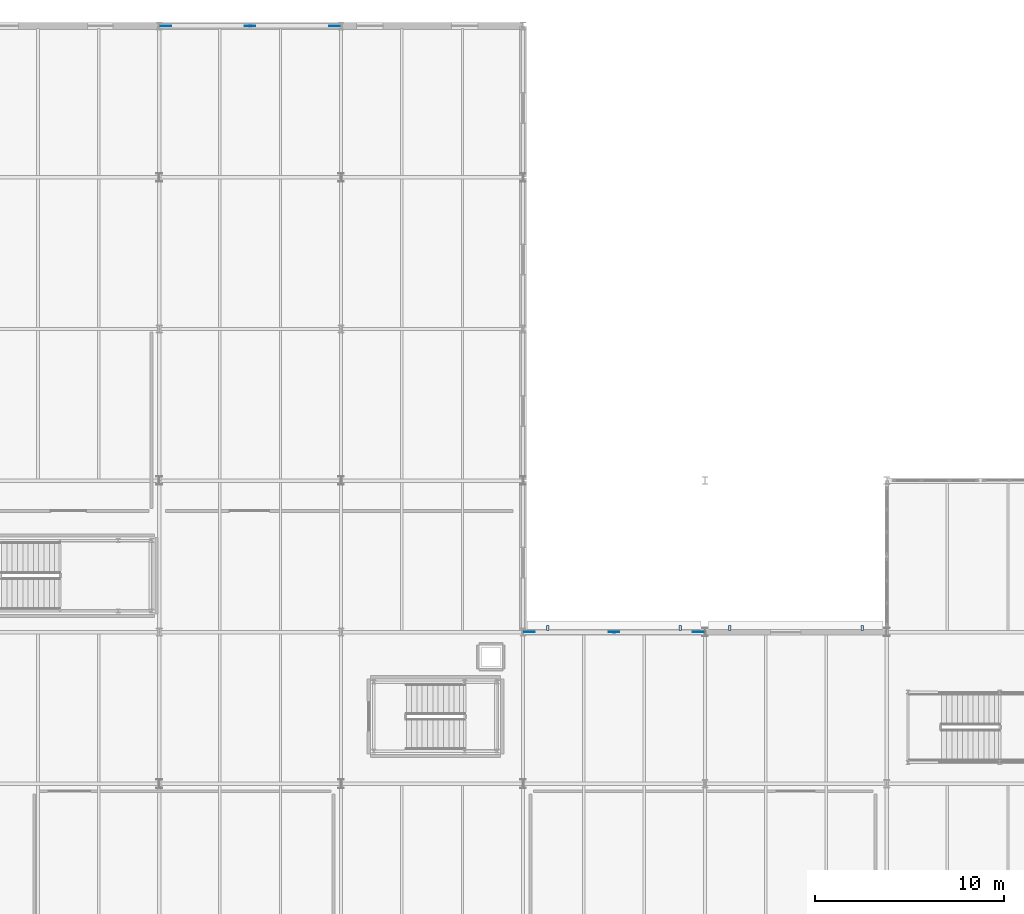
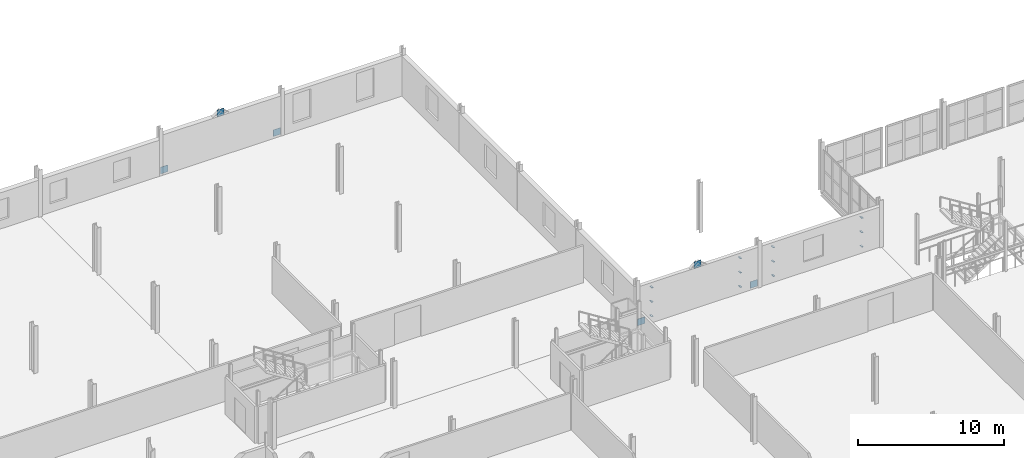
# One storey, part 69 of 85: 18 plates.
"""IFC4 building model written with IfcOpenShell, lengths in metres."""

from ifc_helpers import new_model, si_unit, direction, frame, origin, origin_2d, place, context, subcontext, project, spatial, rectangle, extrude, material, layer, layer_set, type_object, element, save


model = new_model("IFC4")

# Units and contexts
model_context = context("Model", 3, precision=1e-05, world=origin(), true_north=direction((0.0, 1.0)))
body_context = subcontext(model_context, "Body", "Model", "MODEL_VIEW")
ifc_project = project(units=[si_unit("LENGTHUNIT", "METRE"), si_unit("AREAUNIT", "SQUARE_METRE"), si_unit("VOLUMEUNIT", "CUBIC_METRE"), si_unit("PLANEANGLEUNIT", "RADIAN"), si_unit("MASSUNIT", "GRAM", prefix="KILO")], contexts=[model_context])

# Site, building, storey
site_placement = place(None, origin())
site = spatial("IfcSite", under=ifc_project, at=site_placement, CompositionType="ELEMENT")
building_placement = place(site_placement, origin())
building = spatial("IfcBuilding", under=site, at=building_placement, Name="Alderhovde Museum", CompositionType="ELEMENT")
storey_placement = place(building_placement, frame((0.0, 0.0, 8.699951171875)))
storey = spatial("IfcBuildingStorey", under=building, at=storey_placement, Name="L02", CompositionType="ELEMENT", Elevation=8.699951171875)

# Plates
ifc_material_1 = material(Name="Steel S355J2", Category="steel")
ifc_layer_1 = layer(ifc_material_1, 0.02001953125)
ifc_layer_set_1 = layer_set([ifc_layer_1], Name="Steel S355J2")
plate_type_1 = type_object("IfcPlateType", Name="LV-BRACKET", PredefinedType="USERDEFINED", material=ifc_layer_set_1)
for number, where, z_axis, x_axis, name in (
    (1, (58.904052734375, 80.22998046875, 0.2900390625), (0.0, 0.0, 1.0), (1.0, 0.0, 0.0), "L02 Louvre Support Bracket 117-1"),
    (2, (65.89599609375, 80.22998046875, 0.2900390625), (0.0, 0.0, 1.0), (1.0, 0.0, 0.0), "L02 Louvre Support Bracket 117-2"),
    (3, (58.904052734375, 80.22998046875, 1.489990234375), (0.0, 0.0, 1.0), (1.0, 0.0, 0.0), "L02 Louvre Support Bracket 119-1"),
    (4, (65.89599609375, 80.22998046875, 1.489990234375), (0.0, 0.0, 1.0), (1.0, 0.0, 0.0), "L02 Louvre Support Bracket 119-2"),
    (5, (58.904052734375, 80.22998046875, 2.68994140625), (0.0, 0.0, 1.0), (1.0, 0.0, 0.0), "L02 Louvre Support Bracket 121-1"),
    (6, (65.89599609375, 80.22998046875, 2.68994140625), (0.0, 0.0, 1.0), (1.0, 0.0, 0.0), "L02 Louvre Support Bracket 121-2"),
    (7, (68.50390625, 80.22998046875, 0.2900390625), (0.0, 0.0, 1.0), (1.0, 0.0, 0.0), "L02 Louvre Support Bracket 122-1"),
    (8, (75.49609375, 80.22998046875, 0.2900390625), (0.0, 0.0, 1.0), (1.0, 0.0, 0.0), "L02 Louvre Support Bracket 122-2"),
    (9, (68.50390625, 80.22998046875, 1.489990234375), (0.0, 0.0, 1.0), (1.0, 0.0, 0.0), "L02 Louvre Support Bracket 124-1"),
    (10, (75.49609375, 80.22998046875, 1.489990234375), (0.0, 0.0, 1.0), (1.0, 0.0, 0.0), "L02 Louvre Support Bracket 124-2"),
    (11, (68.50390625, 80.22998046875, 2.68994140625), (0.0, 0.0, 1.0), (1.0, 0.0, 0.0), "L02 Louvre Support Bracket 126-1"),
    (12, (75.49609375, 80.22998046875, 2.68994140625), (0.0, 0.0, 1.0), (1.0, 0.0, 0.0), "L02 Louvre Support Bracket 126-2"),
):
    element("IfcPlate", number, at=place(storey_placement, frame(where, z_axis=z_axis, x_axis=x_axis)), inside=storey, type_object=plate_type_1, Name=name, ObjectType="BRACKET PLATE", PredefinedType="USERDEFINED", context=body_context, shape_type="SweptSolid", body=[
        extrude(rectangle(XDim=0.139892578125, YDim=0.260009765625, at=origin_2d()), origin(), (0.0, 0.0, 1.0), 0.02001953125),
    ])
ifc_material_2 = material(Name="Steel S355J2", Category="steel")
ifc_layer_2 = layer(ifc_material_2, 0.02197265625)
ifc_layer_set_2 = layer_set([ifc_layer_2], Name="Steel S355J2")
plate_type_2 = type_object("IfcPlateType", Name="PLT-GUSSET-22", PredefinedType="USERDEFINED", material=ifc_layer_set_2)
for number, where, z_axis, x_axis, name in (
    (13, (57.949951171875, 80.0, 0.02001953125), (0.0, 0.0, 1.0), (1.0, 0.0, 0.0), "L02 Brace End Gusset Plate BR-V1-N-BL"),
    (14, (66.85009765625, 80.0, 0.02001953125), (0.0, 0.0, 1.0), (1.0, 0.0, 0.0), "L02 Brace End Gusset Plate BR-V1-N-BR"),
    (15, (62.39990234375, 80.0, 3.219970703125), (0.0, 0.0, 1.0), (1.0, 0.0, 0.0), "L02 Brace End Gusset Plate BR-V1-N-APX"),
    (16, (38.75, 112.0, 0.02001953125), (0.0, 0.0, 1.0), (1.0, 0.0, 0.0), "L02 Brace End Gusset Plate BR-V4-N-BL"),
    (17, (47.64990234375, 112.0, 0.02001953125), (0.0, 0.0, 1.0), (1.0, 0.0, 0.0), "L02 Brace End Gusset Plate BR-V4-N-BR"),
    (18, (43.199951171875, 112.0, 3.219970703125), (0.0, 0.0, 1.0), (1.0, 0.0, 0.0), "L02 Brace End Gusset Plate BR-V4-N-APX"),
):
    element("IfcPlate", number, at=place(storey_placement, frame(where, z_axis=z_axis, x_axis=x_axis)), inside=storey, type_object=plate_type_2, Name=name, ObjectType="GUSSET PLATE", PredefinedType="USERDEFINED", context=body_context, shape_type="SweptSolid", body=[
        extrude(rectangle(XDim=0.56005859375, YDim=0.02197265625, at=origin_2d()), origin(), (0.0, 0.0, 1.0), 0.56005859375),
    ])

save(model, "model.ifc")
